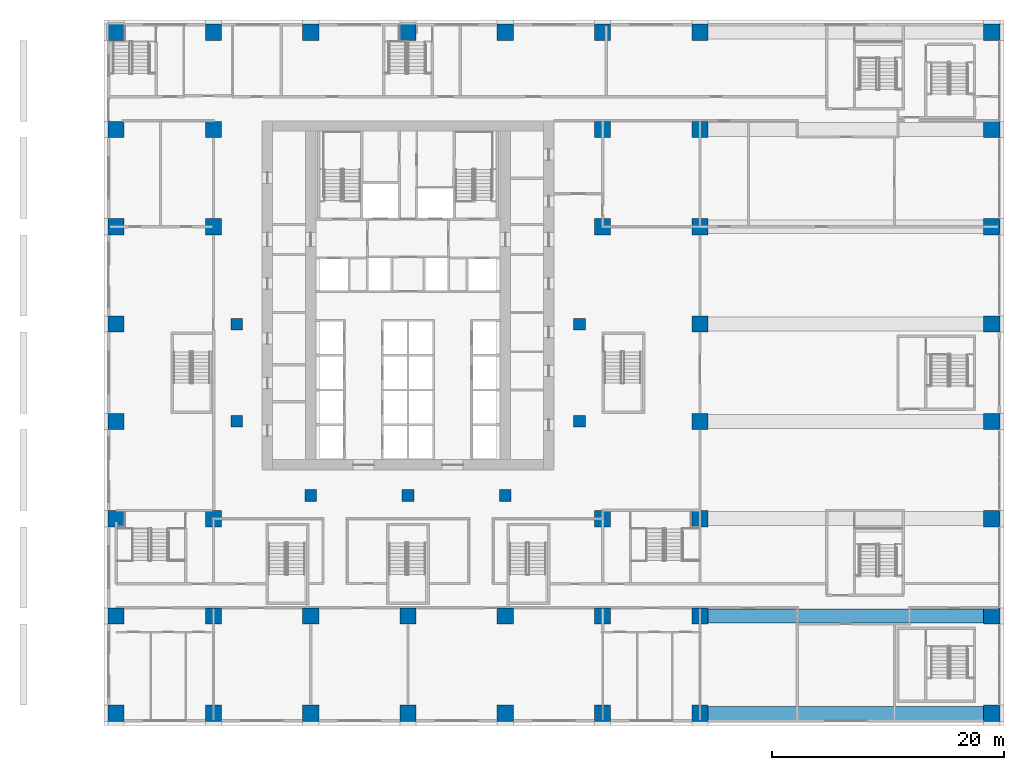
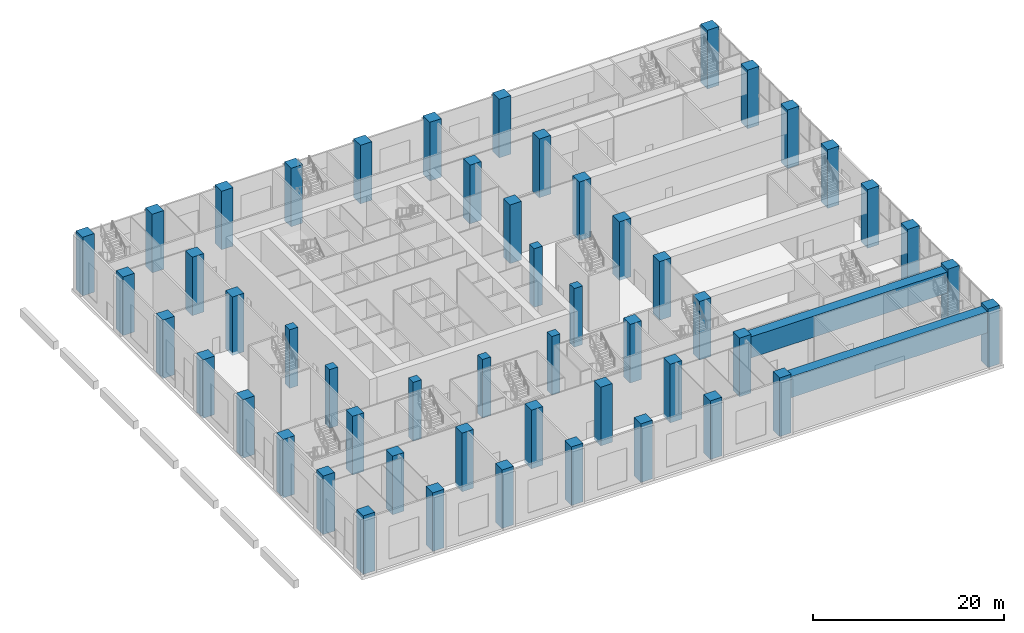
# One storey, part 1 of 29: 52 columns, 2 beams.
"""IFC4 building model written with IfcOpenShell, lengths in metres."""

from ifc_helpers import new_model, si_unit, direction, frame, origin, origin_2d, place, context, subcontext, project, spatial, rectangle, extrude, material, material_profile, profile_set, type_object, element, save


model = new_model("IFC4")

# Units and contexts
model_context = context("Model", 3, precision=1e-05, world=origin(), true_north=direction((0.0, 1.0)))
body_context = subcontext(model_context, "Body", "Model", "MODEL_VIEW")
ifc_project = project(units=[si_unit("LENGTHUNIT", "METRE"), si_unit("AREAUNIT", "SQUARE_METRE"), si_unit("VOLUMEUNIT", "CUBIC_METRE"), si_unit("PLANEANGLEUNIT", "RADIAN"), si_unit("MASSUNIT", "GRAM", prefix="KILO")], contexts=[model_context])

# Site, building, storey
site_placement = place(None, origin())
site = spatial("IfcSite", under=ifc_project, at=site_placement, CompositionType="ELEMENT")
building_placement = place(site_placement, origin())
building = spatial("IfcBuilding", under=site, at=building_placement, Name="Vermilion Ogive Tower", CompositionType="ELEMENT")
storey_placement = place(building_placement, frame((0.0, 0.0, 12.5)))
storey = spatial("IfcBuildingStorey", under=building, at=storey_placement, Name="L02", CompositionType="ELEMENT", Elevation=12.5)

# Columns
ifc_material_1 = material(Name="Concrete B80", Category="concrete")
ifc_material_profile_1 = material_profile(ifc_material_1, rectangle(XDim=1.39990234375, YDim=1.39990234375, at=origin_2d()), Name="1400 x 1400")
ifc_profile_set_1 = profile_set([ifc_material_profile_1], Name="Concrete B80")
column_type_1 = type_object("IfcColumnType", Name="Perimeter column 1400 x 1400 B80", PredefinedType="COLUMN", material=ifc_profile_set_1)
for number, where, z_axis, x_axis, name in (
    (1, (-16.800048828125, -21.0, -0.39990234375), (0.0, 0.0, 1.0), (1.0, 0.0, 0.0), "COL-L02-P-0168-210"),
    (2, (-8.39990234375, -21.0, -0.39990234375), (0.0, 0.0, 1.0), (1.0, 0.0, 0.0), "COL-L02-P-0084-210"),
    (3, (0.0, -21.0, -0.39990234375), (0.0, 0.0, 1.0), (1.0, 0.0, 0.0), "COL-L02-P+0000-210"),
    (4, (8.39990234375, -21.0, -0.39990234375), (0.0, 0.0, 1.0), (1.0, 0.0, 0.0), "COL-L02-P+0084-210"),
    (5, (16.800048828125, -21.0, -0.39990234375), (0.0, 0.0, 1.0), (1.0, 0.0, 0.0), "COL-L02-P+0168-210"),
    (6, (-25.199951171875, -12.60009765625, -0.39990234375), (0.0, 0.0, 1.0), (1.0, 0.0, 0.0), "COL-L02-P-0252-126"),
    (7, (-16.800048828125, -12.60009765625, -0.39990234375), (0.0, 0.0, 1.0), (1.0, 0.0, 0.0), "COL-L02-P-0168-126"),
    (8, (16.800048828125, -12.60009765625, -0.39990234375), (0.0, 0.0, 1.0), (1.0, 0.0, 0.0), "COL-L02-P+0168-126"),
    (9, (25.199951171875, -12.60009765625, -0.39990234375), (0.0, 0.0, 1.0), (1.0, 0.0, 0.0), "COL-L02-P+0252-126"),
    (10, (-25.199951171875, -4.199951171875, -0.39990234375), (0.0, 0.0, 1.0), (1.0, 0.0, 0.0), "COL-L02-P-0252-042"),
    (11, (25.199951171875, -4.199951171875, -0.39990234375), (0.0, 0.0, 1.0), (1.0, 0.0, 0.0), "COL-L02-P+0252-042"),
    (12, (-25.199951171875, 4.199951171875, -0.39990234375), (0.0, 0.0, 1.0), (1.0, 0.0, 0.0), "COL-L02-P-0252+042"),
    (13, (25.199951171875, 4.199951171875, -0.39990234375), (0.0, 0.0, 1.0), (1.0, 0.0, 0.0), "COL-L02-P+0252+042"),
    (14, (-25.199951171875, 12.60009765625, -0.39990234375), (0.0, 0.0, 1.0), (1.0, 0.0, 0.0), "COL-L02-P-0252+126"),
    (15, (-16.800048828125, 12.60009765625, -0.39990234375), (0.0, 0.0, 1.0), (1.0, 0.0, 0.0), "COL-L02-P-0168+126"),
    (16, (16.800048828125, 12.60009765625, -0.39990234375), (0.0, 0.0, 1.0), (1.0, 0.0, 0.0), "COL-L02-P+0168+126"),
    (17, (25.199951171875, 12.60009765625, -0.39990234375), (0.0, 0.0, 1.0), (1.0, 0.0, 0.0), "COL-L02-P+0252+126"),
    (18, (-16.800048828125, 21.0, -0.39990234375), (0.0, 0.0, 1.0), (1.0, 0.0, 0.0), "COL-L02-P-0168+210"),
    (19, (16.800048828125, 21.0, -0.39990234375), (0.0, 0.0, 1.0), (1.0, 0.0, 0.0), "COL-L02-P+0168+210"),
):
    element("IfcColumn", number, at=place(storey_placement, frame(where, z_axis=z_axis, x_axis=x_axis)), inside=storey, type_object=column_type_1, Name=name, PredefinedType="COLUMN", context=body_context, shape_type="SweptSolid", body=[
        extrude(rectangle(XDim=1.39990234375, YDim=1.39990234375, at=origin_2d()), origin(), (0.0, 0.0, 1.0), 7.5),
    ])
ifc_material_2 = material(Name="Concrete B60", Category="concrete")
ifc_material_profile_2 = material_profile(ifc_material_2, rectangle(XDim=1.39990234375, YDim=1.39990234375, at=origin_2d()), Name="RC 1400x1400")
ifc_profile_set_2 = profile_set([ifc_material_profile_2], Name="Concrete B60")
column_type_2 = type_object("IfcColumnType", Name="Podium column RC 1400", PredefinedType="COLUMN", material=ifc_profile_set_2)
for number, where, z_axis, x_axis, name in (
    (20, (-25.199951171875, -29.39990234375, 0.0), (0.0, 0.0, 1.0), (1.0, 0.0, 0.0), "Column 1.4 L02"),
    (21, (-16.800048828125, -29.39990234375, 0.0), (0.0, 0.0, 1.0), (1.0, 0.0, 0.0), "Column 1.4 L02"),
    (22, (-8.39990234375, -29.39990234375, 0.0), (0.0, 0.0, 1.0), (1.0, 0.0, 0.0), "Column 1.4 L02"),
    (23, (0.0, -29.39990234375, 0.0), (0.0, 0.0, 1.0), (1.0, 0.0, 0.0), "Column 1.4 L02"),
    (24, (8.39990234375, -29.39990234375, 0.0), (0.0, 0.0, 1.0), (1.0, 0.0, 0.0), "Column 1.4 L02"),
    (25, (16.800048828125, -29.39990234375, 0.0), (0.0, 0.0, 1.0), (1.0, 0.0, 0.0), "Column 1.4 L02"),
    (26, (25.199951171875, -29.39990234375, 0.0), (0.0, 0.0, 1.0), (1.0, 0.0, 0.0), "Column 1.4 L02"),
    (27, (50.39990234375, -29.39990234375, 0.0), (0.0, 0.0, 1.0), (1.0, 0.0, 0.0), "Column 1.4 L02"),
    (28, (-25.199951171875, -21.0, 0.0), (0.0, 0.0, 1.0), (1.0, 0.0, 0.0), "Column 1.4 L02"),
    (29, (25.199951171875, -21.0, 0.0), (0.0, 0.0, 1.0), (1.0, 0.0, 0.0), "Column 1.4 L02"),
    (30, (50.39990234375, -21.0, 0.0), (0.0, 0.0, 1.0), (1.0, 0.0, 0.0), "Column 1.4 L02"),
    (31, (50.39990234375, -12.60009765625, 0.0), (0.0, 0.0, 1.0), (1.0, 0.0, 0.0), "Column 1.4 L02"),
    (32, (50.39990234375, -4.199951171875, 0.0), (0.0, 0.0, 1.0), (1.0, 0.0, 0.0), "Column 1.4 L02"),
    (33, (50.39990234375, 4.199951171875, 0.0), (0.0, 0.0, 1.0), (1.0, 0.0, 0.0), "Column 1.4 L02"),
    (34, (50.39990234375, 12.60009765625, 0.0), (0.0, 0.0, 1.0), (1.0, 0.0, 0.0), "Column 1.4 L02"),
    (35, (-25.199951171875, 21.0, 0.0), (0.0, 0.0, 1.0), (1.0, 0.0, 0.0), "Column 1.4 L02"),
    (36, (25.199951171875, 21.0, 0.0), (0.0, 0.0, 1.0), (1.0, 0.0, 0.0), "Column 1.4 L02"),
    (37, (50.39990234375, 21.0, 0.0), (0.0, 0.0, 1.0), (1.0, 0.0, 0.0), "Column 1.4 L02"),
    (38, (-25.199951171875, 29.39990234375, 0.0), (0.0, 0.0, 1.0), (1.0, 0.0, 0.0), "Column 1.4 L02"),
    (39, (-16.800048828125, 29.39990234375, 0.0), (0.0, 0.0, 1.0), (1.0, 0.0, 0.0), "Column 1.4 L02"),
    (40, (-8.39990234375, 29.39990234375, 0.0), (0.0, 0.0, 1.0), (1.0, 0.0, 0.0), "Column 1.4 L02"),
    (41, (0.0, 29.39990234375, 0.0), (0.0, 0.0, 1.0), (1.0, 0.0, 0.0), "Column 1.4 L02"),
    (42, (8.39990234375, 29.39990234375, 0.0), (0.0, 0.0, 1.0), (1.0, 0.0, 0.0), "Column 1.4 L02"),
    (43, (16.800048828125, 29.39990234375, 0.0), (0.0, 0.0, 1.0), (1.0, 0.0, 0.0), "Column 1.4 L02"),
    (44, (25.199951171875, 29.39990234375, 0.0), (0.0, 0.0, 1.0), (1.0, 0.0, 0.0), "Column 1.4 L02"),
    (45, (50.39990234375, 29.39990234375, 0.0), (0.0, 0.0, 1.0), (1.0, 0.0, 0.0), "Column 1.4 L02"),
):
    element("IfcColumn", number, at=place(storey_placement, frame(where, z_axis=z_axis, x_axis=x_axis)), inside=storey, type_object=column_type_2, Name=name, PredefinedType="COLUMN", context=body_context, shape_type="SweptSolid", body=[
        extrude(rectangle(XDim=1.39990234375, YDim=1.39990234375, at=origin_2d()), origin(), (0.0, 0.0, 1.0), 7.5),
    ])
ifc_material_3 = material(Name="Concrete B80", Category="concrete")
ifc_material_profile_3 = material_profile(ifc_material_3, rectangle(XDim=1.0, YDim=1.0, at=origin_2d()), Name="1000 x 1000")
ifc_profile_set_3 = profile_set([ifc_material_profile_3], Name="Concrete B80")
column_type_3 = type_object("IfcColumnType", Name="Ring column 1000 x 1000 B80", PredefinedType="COLUMN", material=ifc_profile_set_3)
for number, where, z_axis, x_axis, name in (
    (46, (-8.39990234375, -10.60009765625, -0.39990234375), (0.0, 0.0, 1.0), (1.0, 0.0, 0.0), "COL-L02-R-0084-106"),
    (47, (0.0, -10.60009765625, -0.39990234375), (0.0, 0.0, 1.0), (1.0, 0.0, 0.0), "COL-L02-R+0000-106"),
    (48, (8.39990234375, -10.60009765625, -0.39990234375), (0.0, 0.0, 1.0), (1.0, 0.0, 0.0), "COL-L02-R+0084-106"),
    (49, (-14.800048828125, -4.199951171875, -0.39990234375), (0.0, 0.0, 1.0), (1.0, 0.0, 0.0), "COL-L02-R-0148-042"),
    (50, (14.800048828125, -4.199951171875, -0.39990234375), (0.0, 0.0, 1.0), (1.0, 0.0, 0.0), "COL-L02-R+0148-042"),
    (51, (-14.800048828125, 4.199951171875, -0.39990234375), (0.0, 0.0, 1.0), (1.0, 0.0, 0.0), "COL-L02-R-0148+042"),
    (52, (14.800048828125, 4.199951171875, -0.39990234375), (0.0, 0.0, 1.0), (1.0, 0.0, 0.0), "COL-L02-R+0148+042"),
):
    element("IfcColumn", number, at=place(storey_placement, frame(where, z_axis=z_axis, x_axis=x_axis)), inside=storey, type_object=column_type_3, Name=name, PredefinedType="COLUMN", context=body_context, shape_type="SweptSolid", body=[
        extrude(rectangle(XDim=1.0, YDim=1.0, at=origin_2d()), origin(), (0.0, 0.0, 1.0), 7.5),
    ])

# Beams
ifc_material_4 = material(Name="Concrete B60", Category="concrete")
ifc_material_profile_4 = material_profile(ifc_material_4, rectangle(XDim=1.199951171875, YDim=2.699951171875, at=origin_2d()), Name="RC 1200x2700")
ifc_profile_set_4 = profile_set([ifc_material_profile_4], Name="Concrete B60")
beam_type = type_object("IfcBeamType", Name="Transfer girder TG1 1200x2700", PredefinedType="BEAM", material=ifc_profile_set_4)
for number, where, z_axis, x_axis, name in (
    (53, (25.89990234375, -29.39990234375, 5.75), (1.0, 0.0, 0.0), (0.0, 1.0, 0.0), "Transfer girder 01"),
    (54, (25.89990234375, -21.0, 5.75), (1.0, 0.0, 0.0), (0.0, 1.0, 0.0), "Transfer girder 02"),
):
    element("IfcBeam", number, at=place(storey_placement, frame(where, z_axis=z_axis, x_axis=x_axis)), inside=storey, type_object=beam_type, Name=name, PredefinedType="BEAM", context=body_context, shape_type="SweptSolid", body=[
        extrude(rectangle(XDim=1.199951171875, YDim=2.699951171875, at=origin_2d()), origin(), (0.0, 0.0, 1.0), 23.800048828125),
    ])

save(model, "model.ifc")
